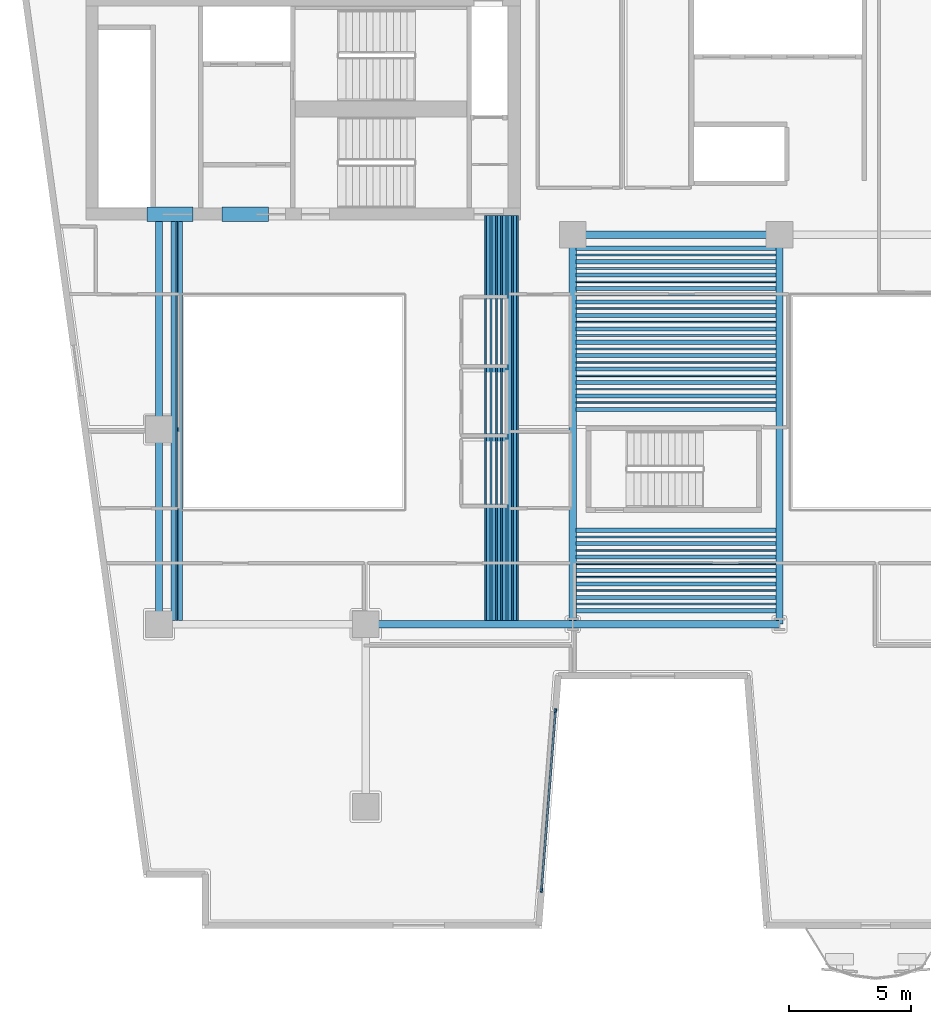
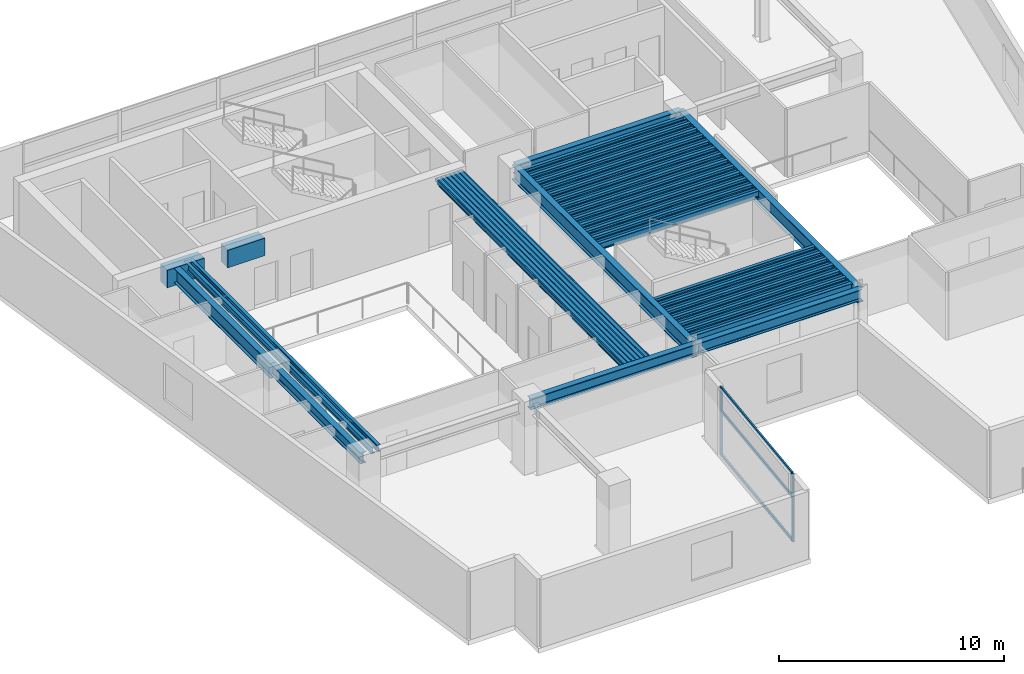
# One storey, part 2 of 12: 63 beams, 5 members, 1 element without a shape of its own.
"""IFC4 building model written with IfcOpenShell, lengths in metres."""

from ifc_helpers import new_model, si_unit, direction, frame, origin, origin_2d, place, context, subcontext, project, spatial, rectangle, hollow_rectangle, i_section, extrude, material, layer, layer_set, material_profile, profile_set, type_object, element, aggregate, save


model = new_model("IFC4")

# Units and contexts
model_context = context("Model", 3, precision=1e-05, world=origin(), true_north=direction((0.0, 1.0)))
body_context = subcontext(model_context, "Body", "Model", "MODEL_VIEW")
ifc_project = project(units=[si_unit("LENGTHUNIT", "METRE"), si_unit("AREAUNIT", "SQUARE_METRE"), si_unit("VOLUMEUNIT", "CUBIC_METRE"), si_unit("PLANEANGLEUNIT", "RADIAN"), si_unit("MASSUNIT", "GRAM", prefix="KILO")], contexts=[model_context])

# Site, building, storey
site_placement = place(None, origin())
site = spatial("IfcSite", under=ifc_project, at=site_placement, CompositionType="ELEMENT")
building_placement = place(site_placement, origin())
building = spatial("IfcBuilding", under=site, at=building_placement, Name="Caeloran Harvest Quay", CompositionType="ELEMENT")
storey_placement = place(building_placement, frame((0.0, 0.0, 115.35009765625)))
storey = spatial("IfcBuildingStorey", under=building, at=storey_placement, Name="L26", CompositionType="ELEMENT", Elevation=115.35009765625)

# Beams
ifc_material_1 = material(Name="Concrete C60/75", Category="concrete")
ifc_material_profile_1 = material_profile(ifc_material_1, rectangle(XDim=0.60009765625, YDim=0.949951171875, at=origin_2d()), Name="RC 600x950")
ifc_profile_set_1 = profile_set([ifc_material_profile_1], Name="Concrete C60/75")
beam_type_1 = type_object("IfcBeamType", Name="BM-CB-2-RC_600x950", PredefinedType="LINTEL", material=ifc_profile_set_1)
for number, where, z_axis, x_axis, name in (
    (1, (8.0, 31.85009765625, 3.21484375), (1.0, 0.0, 0.0), (0.0, 1.0, 0.0), "L26 Core Coupling Beam 1"),
    (2, (11.10009765625, 31.85009765625, 3.21484375), (1.0, 0.0, 0.0), (0.0, 1.0, 0.0), "L26 Core Coupling Beam 2"),
):
    element("IfcBeam", number, at=place(storey_placement, frame(where, z_axis=z_axis, x_axis=x_axis)), inside=storey, type_object=beam_type_1, Name=name, PredefinedType="LINTEL", context=body_context, shape_type="SweptSolid", body=[
        extrude(rectangle(XDim=0.60009765625, YDim=0.949951171875, at=origin_2d()), origin(), (0.0, 0.0, 1.0), 1.89990234375),
    ])
ifc_material_2 = material(Name="Steel S355J2", Category="steel")
ifc_material_profile_2 = material_profile(ifc_material_2, i_section(OverallWidth=0.300048828125, OverallDepth=0.800048828125, WebThickness=0.017578125, FlangeThickness=0.032958984375, FilletRadius=0.030029296875, at=origin_2d()), Name="HE 800 B")
ifc_profile_set_2 = profile_set([ifc_material_profile_2], Name="Steel S355J2")
beam_type_2 = type_object("IfcBeamType", Name="BM-PG-1-HE_800_B", PredefinedType="BEAM", material=ifc_profile_set_2)
beam_1_placement = place(storey_placement, frame((8.5, 23.0, 3.289794921875), z_axis=(0.0, 1.0, 0.0), x_axis=(-1.0, 0.0, 0.0)))
element("IfcBeam", 3, at=beam_1_placement, inside=storey, type_object=beam_type_2, Name="L26 Core South Tie Girder X=8.5", PredefinedType="BEAM", context=body_context, shape_type="SweptSolid", body=[
    extrude(i_section(OverallWidth=0.300048828125, OverallDepth=0.800048828125, WebThickness=0.017578125, FlangeThickness=0.032958984375, FilletRadius=0.030029296875, at=origin_2d()), origin(), (0.0, 0.0, 1.0), 8.800048828125),
])
for number, where, z_axis, x_axis, name in (
    (4, (25.5, 15.0, 3.289794921875), (0.0, 1.0, 0.0), (-1.0, 0.0, 0.0), "L26 Primary North-South Girder X=25.5"),
    (5, (34.0, 15.0, 3.289794921875), (0.0, 1.0, 0.0), (-1.0, 0.0, 0.0), "L26 Primary North-South Girder X=34.0"),
):
    element("IfcBeam", number, at=place(storey_placement, frame(where, z_axis=z_axis, x_axis=x_axis)), inside=storey, type_object=beam_type_2, Name=name, PredefinedType="BEAM", context=body_context, shape_type="SweptSolid", body=[
        extrude(i_section(OverallWidth=0.300048828125, OverallDepth=0.800048828125, WebThickness=0.017578125, FlangeThickness=0.032958984375, FilletRadius=0.030029296875, at=origin_2d()), origin(), (0.0, 0.0, 1.0), 16.0),
    ])
ifc_material_profile_3 = material_profile(ifc_material_2, i_section(OverallWidth=0.300048828125, OverallDepth=0.60009765625, WebThickness=0.015380859375, FlangeThickness=0.030029296875, FilletRadius=0.027099609375, at=origin_2d()), Name="HE 600 B")
ifc_profile_set_3 = profile_set([ifc_material_profile_3], Name="Steel S355J2")
beam_type_3 = type_object("IfcBeamType", Name="BM-PG-3-HE_600_B", PredefinedType="BEAM", material=ifc_profile_set_3)
for number, where, z_axis, x_axis, name in (
    (6, (17.0, 15.0, 3.389892578125), (1.0, 0.0, 0.0), (0.0, 1.0, 0.0), "L26 Primary East-West Girder Y=15.0"),
    (7, (25.5, 15.0, 3.389892578125), (1.0, 0.0, 0.0), (0.0, 1.0, 0.0), "L26 Primary East-West Girder Y=15.0"),
    (8, (25.5, 31.0, 3.389892578125), (1.0, 0.0, 0.0), (0.0, 1.0, 0.0), "L26 Primary East-West Girder Y=31.0"),
):
    element("IfcBeam", number, at=place(storey_placement, frame(where, z_axis=z_axis, x_axis=x_axis)), inside=storey, type_object=beam_type_3, Name=name, PredefinedType="BEAM", context=body_context, shape_type="SweptSolid", body=[
        extrude(i_section(OverallWidth=0.300048828125, OverallDepth=0.60009765625, WebThickness=0.015380859375, FlangeThickness=0.030029296875, FilletRadius=0.027099609375, at=origin_2d()), origin(), (0.0, 0.0, 1.0), 8.5),
    ])
beam_2_placement = place(storey_placement, frame((8.5, 15.0, 3.389892578125), z_axis=(0.0, 1.0, 0.0), x_axis=(-1.0, 0.0, 0.0)))
element("IfcBeam", 9, at=beam_2_placement, inside=storey, type_object=beam_type_3, Name="L26 Primary North-South Girder X=8.5", PredefinedType="BEAM", context=body_context, shape_type="SweptSolid", body=[
    extrude(i_section(OverallWidth=0.300048828125, OverallDepth=0.60009765625, WebThickness=0.015380859375, FlangeThickness=0.030029296875, FilletRadius=0.027099609375, at=origin_2d()), origin(), (0.0, 0.0, 1.0), 8.0),
])
ifc_material_profile_4 = material_profile(ifc_material_2, i_section(OverallWidth=0.169921875, OverallDepth=0.360107421875, WebThickness=0.008056640625, FlangeThickness=0.0126953125, FilletRadius=0.01806640625, at=origin_2d()), Name="IPE 360")
ifc_profile_set_4 = profile_set([ifc_material_profile_4], Name="Steel S355J2")
beam_type_4 = type_object("IfcBeamType", Name="BM-SB-5-IPE_360", PredefinedType="JOIST", material=ifc_profile_set_4)
for number, where, z_axis, x_axis, name in (
    (10, (9.086181640625, 15.14501953125, 3.510009765625), (0.0, 1.0, 0.0), (-1.0, 0.0, 0.0), "L26 Secondary Composite Joist"),
    (11, (9.37939453125, 15.14501953125, 3.510009765625), (0.0, 1.0, 0.0), (-1.0, 0.0, 0.0), "L26 Secondary Composite Joist"),
    (12, (22.0361328125, 15.14501953125, 3.510009765625), (0.0, 1.0, 0.0), (-1.0, 0.0, 0.0), "L26 Secondary Composite Joist"),
    (13, (22.255126953125, 15.14501953125, 3.510009765625), (0.0, 1.0, 0.0), (-1.0, 0.0, 0.0), "L26 Secondary Composite Joist"),
    (14, (22.47412109375, 15.14501953125, 3.510009765625), (0.0, 1.0, 0.0), (-1.0, 0.0, 0.0), "L26 Secondary Composite Joist"),
    (15, (22.693115234375, 15.14501953125, 3.510009765625), (0.0, 1.0, 0.0), (-1.0, 0.0, 0.0), "L26 Secondary Composite Joist"),
    (16, (22.912109375, 15.14501953125, 3.510009765625), (0.0, 1.0, 0.0), (-1.0, 0.0, 0.0), "L26 Secondary Composite Joist"),
    (17, (23.131103515625, 15.14501953125, 3.510009765625), (0.0, 1.0, 0.0), (-1.0, 0.0, 0.0), "L26 Secondary Composite Joist"),
):
    element("IfcBeam", number, at=place(storey_placement, frame(where, z_axis=z_axis, x_axis=x_axis)), inside=storey, type_object=beam_type_4, Name=name, PredefinedType="JOIST", context=body_context, shape_type="SweptSolid", body=[
        extrude(i_section(OverallWidth=0.169921875, OverallDepth=0.360107421875, WebThickness=0.008056640625, FlangeThickness=0.0126953125, FilletRadius=0.01806640625, at=origin_2d()), origin(), (0.0, 0.0, 1.0), 16.655029296875),
    ])
for number, where, z_axis, x_axis, name in (
    (18, (25.64501953125, 15.5517578125, 3.510009765625), (1.0, 0.0, 0.0), (0.0, 1.0, 0.0), "L26 Secondary East-West Composite Joist"),
    (19, (25.64501953125, 16.103515625, 3.510009765625), (1.0, 0.0, 0.0), (0.0, 1.0, 0.0), "L26 Secondary East-West Composite Joist"),
    (20, (25.64501953125, 16.6552734375, 3.510009765625), (1.0, 0.0, 0.0), (0.0, 1.0, 0.0), "L26 Secondary East-West Composite Joist"),
    (21, (25.64501953125, 17.206787109375, 3.510009765625), (1.0, 0.0, 0.0), (0.0, 1.0, 0.0), "L26 Secondary East-West Composite Joist"),
    (22, (25.64501953125, 17.758544921875, 3.510009765625), (1.0, 0.0, 0.0), (0.0, 1.0, 0.0), "L26 Secondary East-West Composite Joist"),
    (23, (25.64501953125, 18.310302734375, 3.510009765625), (1.0, 0.0, 0.0), (0.0, 1.0, 0.0), "L26 Secondary East-West Composite Joist"),
    (24, (25.64501953125, 18.862060546875, 3.510009765625), (1.0, 0.0, 0.0), (0.0, 1.0, 0.0), "L26 Secondary East-West Composite Joist"),
    (25, (25.64501953125, 23.82763671875, 3.510009765625), (1.0, 0.0, 0.0), (0.0, 1.0, 0.0), "L26 Secondary East-West Composite Joist"),
    (26, (25.64501953125, 24.37939453125, 3.510009765625), (1.0, 0.0, 0.0), (0.0, 1.0, 0.0), "L26 Secondary East-West Composite Joist"),
    (27, (25.64501953125, 24.930908203125, 3.510009765625), (1.0, 0.0, 0.0), (0.0, 1.0, 0.0), "L26 Secondary East-West Composite Joist"),
    (28, (25.64501953125, 25.48291015625, 3.510009765625), (1.0, 0.0, 0.0), (0.0, 1.0, 0.0), "L26 Secondary East-West Composite Joist"),
    (29, (25.64501953125, 26.034423828125, 3.510009765625), (1.0, 0.0, 0.0), (0.0, 1.0, 0.0), "L26 Secondary East-West Composite Joist"),
    (30, (25.64501953125, 26.586181640625, 3.510009765625), (1.0, 0.0, 0.0), (0.0, 1.0, 0.0), "L26 Secondary East-West Composite Joist"),
    (31, (25.64501953125, 27.137939453125, 3.510009765625), (1.0, 0.0, 0.0), (0.0, 1.0, 0.0), "L26 Secondary East-West Composite Joist"),
    (32, (25.64501953125, 27.689697265625, 3.510009765625), (1.0, 0.0, 0.0), (0.0, 1.0, 0.0), "L26 Secondary East-West Composite Joist"),
    (33, (25.64501953125, 28.241455078125, 3.510009765625), (1.0, 0.0, 0.0), (0.0, 1.0, 0.0), "L26 Secondary East-West Composite Joist"),
    (34, (25.64501953125, 28.793212890625, 3.510009765625), (1.0, 0.0, 0.0), (0.0, 1.0, 0.0), "L26 Secondary East-West Composite Joist"),
    (35, (25.64501953125, 29.3447265625, 3.510009765625), (1.0, 0.0, 0.0), (0.0, 1.0, 0.0), "L26 Secondary East-West Composite Joist"),
    (36, (25.64501953125, 29.896484375, 3.510009765625), (1.0, 0.0, 0.0), (0.0, 1.0, 0.0), "L26 Secondary East-West Composite Joist"),
    (37, (25.64501953125, 30.4482421875, 3.510009765625), (1.0, 0.0, 0.0), (0.0, 1.0, 0.0), "L26 Secondary East-West Composite Joist"),
):
    element("IfcBeam", number, at=place(storey_placement, frame(where, z_axis=z_axis, x_axis=x_axis)), inside=storey, type_object=beam_type_4, Name=name, PredefinedType="JOIST", context=body_context, shape_type="SweptSolid", body=[
        extrude(i_section(OverallWidth=0.169921875, OverallDepth=0.360107421875, WebThickness=0.008056640625, FlangeThickness=0.0126953125, FilletRadius=0.01806640625, at=origin_2d()), origin(), (0.0, 0.0, 1.0), 8.2099609375),
    ])
ifc_material_profile_5 = material_profile(ifc_material_2, hollow_rectangle(XDim=0.080078125, YDim=0.199951171875, WallThickness=0.006103515625, InnerFilletRadius=0.006103515625, OuterFilletRadius=0.009033203125, at=origin_2d()), Name="RHS 200x80x6")
ifc_profile_set_5 = profile_set([ifc_material_profile_5], Name="Steel S355J2")
beam_type_5 = type_object("IfcBeamType", Name="BM-SB-7-RHS_200x80x6", PredefinedType="JOIST", material=ifc_profile_set_5)
for number, where, z_axis, x_axis, name in (
    (38, (9.23291015625, 15.14501953125, 3.58984375), (0.0, 1.0, 0.0), (-1.0, 0.0, 0.0), "L26 Secondary Composite Joist"),
    (39, (21.9267578125, 15.14501953125, 3.58984375), (0.0, 1.0, 0.0), (-1.0, 0.0, 0.0), "L26 Secondary Composite Joist"),
    (40, (22.145751953125, 15.14501953125, 3.58984375), (0.0, 1.0, 0.0), (-1.0, 0.0, 0.0), "L26 Secondary Composite Joist"),
    (41, (22.36474609375, 15.14501953125, 3.58984375), (0.0, 1.0, 0.0), (-1.0, 0.0, 0.0), "L26 Secondary Composite Joist"),
    (42, (22.58349609375, 15.14501953125, 3.58984375), (0.0, 1.0, 0.0), (-1.0, 0.0, 0.0), "L26 Secondary Composite Joist"),
    (43, (22.802490234375, 15.14501953125, 3.58984375), (0.0, 1.0, 0.0), (-1.0, 0.0, 0.0), "L26 Secondary Composite Joist"),
    (44, (23.021484375, 15.14501953125, 3.58984375), (0.0, 1.0, 0.0), (-1.0, 0.0, 0.0), "L26 Secondary Composite Joist"),
    (45, (23.240478515625, 15.14501953125, 3.58984375), (0.0, 1.0, 0.0), (-1.0, 0.0, 0.0), "L26 Secondary Composite Joist"),
):
    element("IfcBeam", number, at=place(storey_placement, frame(where, z_axis=z_axis, x_axis=x_axis)), inside=storey, type_object=beam_type_5, Name=name, PredefinedType="JOIST", context=body_context, shape_type="SweptSolid", body=[
        extrude(hollow_rectangle(XDim=0.080078125, YDim=0.199951171875, WallThickness=0.006103515625, InnerFilletRadius=0.006103515625, OuterFilletRadius=0.009033203125, at=origin_2d()), origin(), (0.0, 0.0, 1.0), 16.655029296875),
    ])
for number, where, z_axis, x_axis, name in (
    (46, (25.64501953125, 15.82763671875, 3.58984375), (1.0, 0.0, 0.0), (0.0, 1.0, 0.0), "L26 Secondary East-West Composite Joist"),
    (47, (25.64501953125, 16.37939453125, 3.58984375), (1.0, 0.0, 0.0), (0.0, 1.0, 0.0), "L26 Secondary East-West Composite Joist"),
    (48, (25.64501953125, 16.930908203125, 3.58984375), (1.0, 0.0, 0.0), (0.0, 1.0, 0.0), "L26 Secondary East-West Composite Joist"),
    (49, (25.64501953125, 17.48291015625, 3.58984375), (1.0, 0.0, 0.0), (0.0, 1.0, 0.0), "L26 Secondary East-West Composite Joist"),
    (50, (25.64501953125, 18.034423828125, 3.58984375), (1.0, 0.0, 0.0), (0.0, 1.0, 0.0), "L26 Secondary East-West Composite Joist"),
    (51, (25.64501953125, 18.586181640625, 3.58984375), (1.0, 0.0, 0.0), (0.0, 1.0, 0.0), "L26 Secondary East-West Composite Joist"),
    (52, (25.64501953125, 24.103515625, 3.58984375), (1.0, 0.0, 0.0), (0.0, 1.0, 0.0), "L26 Secondary East-West Composite Joist"),
    (53, (25.64501953125, 24.6552734375, 3.58984375), (1.0, 0.0, 0.0), (0.0, 1.0, 0.0), "L26 Secondary East-West Composite Joist"),
    (54, (25.64501953125, 25.206787109375, 3.58984375), (1.0, 0.0, 0.0), (0.0, 1.0, 0.0), "L26 Secondary East-West Composite Joist"),
    (55, (25.64501953125, 25.758544921875, 3.58984375), (1.0, 0.0, 0.0), (0.0, 1.0, 0.0), "L26 Secondary East-West Composite Joist"),
    (56, (25.64501953125, 26.310302734375, 3.58984375), (1.0, 0.0, 0.0), (0.0, 1.0, 0.0), "L26 Secondary East-West Composite Joist"),
    (57, (25.64501953125, 26.862060546875, 3.58984375), (1.0, 0.0, 0.0), (0.0, 1.0, 0.0), "L26 Secondary East-West Composite Joist"),
    (58, (25.64501953125, 27.413818359375, 3.58984375), (1.0, 0.0, 0.0), (0.0, 1.0, 0.0), "L26 Secondary East-West Composite Joist"),
    (59, (25.64501953125, 27.965576171875, 3.58984375), (1.0, 0.0, 0.0), (0.0, 1.0, 0.0), "L26 Secondary East-West Composite Joist"),
    (60, (25.64501953125, 28.51708984375, 3.58984375), (1.0, 0.0, 0.0), (0.0, 1.0, 0.0), "L26 Secondary East-West Composite Joist"),
    (61, (25.64501953125, 29.069091796875, 3.58984375), (1.0, 0.0, 0.0), (0.0, 1.0, 0.0), "L26 Secondary East-West Composite Joist"),
    (62, (25.64501953125, 29.62060546875, 3.58984375), (1.0, 0.0, 0.0), (0.0, 1.0, 0.0), "L26 Secondary East-West Composite Joist"),
    (63, (25.64501953125, 30.17236328125, 3.58984375), (1.0, 0.0, 0.0), (0.0, 1.0, 0.0), "L26 Secondary East-West Composite Joist"),
):
    element("IfcBeam", number, at=place(storey_placement, frame(where, z_axis=z_axis, x_axis=x_axis)), inside=storey, type_object=beam_type_5, Name=name, PredefinedType="JOIST", context=body_context, shape_type="SweptSolid", body=[
        extrude(hollow_rectangle(XDim=0.080078125, YDim=0.199951171875, WallThickness=0.006103515625, InnerFilletRadius=0.006103515625, OuterFilletRadius=0.009033203125, at=origin_2d()), origin(), (0.0, 0.0, 1.0), 8.2099609375),
    ])

# Curtain wall, members
ifc_material_3 = material(Name="Aluminium 6063-T6 and Low-E Glazing", Category="aluminium")
ifc_layer = layer(ifc_material_3, 0.18994140625, Name="Aluminium 6063-T6 and Low-E Glazing")
ifc_layer_set = layer_set([ifc_layer], Name="Aluminium 6063-T6 and Low-E Glazing")
curtain_wall_type = type_object("IfcCurtainWallType", Name="CW-SYS-CW-3", PredefinedType="USERDEFINED", material=ifc_layer_set)
curtain_wall_placement = place(storey_placement, origin())
curtain_wall = element("IfcCurtainWall", 64, at=curtain_wall_placement, inside=storey, type_object=curtain_wall_type, Name="L26 Unitised Curtain Wall CW-3 Run 15", ObjectType="CURTAIN_WALL", PredefinedType="USERDEFINED")
ifc_material_4 = material(Name="Aluminium 6063-T6", Category="aluminium")
ifc_material_profile_6 = material_profile(ifc_material_4, rectangle(XDim=0.080078125, YDim=0.179931640625, at=origin_2d()), Name="CW-MULLION-180")
ifc_profile_set_6 = profile_set([ifc_material_profile_6], Name="Aluminium 6063-T6")
member_type_1 = type_object("IfcMemberType", Name="CW-MULLION-180", PredefinedType="MULLION", material=ifc_profile_set_6)
member_1_placement = place(storey_placement, frame((24.7978515625, 11.4443359375, 0.0), z_axis=(0.0, 0.0, 1.0), x_axis=(0.996967280277, -0.077821861046, 0.0)))
member_1 = element("IfcMember", 65, at=member_1_placement, type_object=member_type_1, Name="CW-3 mullion 1", PredefinedType="MULLION", context=body_context, shape_type="SweptSolid", body=[
    extrude(rectangle(XDim=0.080078125, YDim=0.179931640625, at=origin_2d()), origin(), (0.0, 0.0, 1.0), 3.68994140625),
])
member_2_placement = place(storey_placement, frame((24.221923828125, 4.065673828125, 0.0), z_axis=(0.0, 0.0, 1.0), x_axis=(0.996967280277, -0.077821861046, 0.0)))
member_2 = element("IfcMember", 66, at=member_2_placement, type_object=member_type_1, Name="CW-3 mullion 2", PredefinedType="MULLION", context=body_context, shape_type="SweptSolid", body=[
    extrude(rectangle(XDim=0.080078125, YDim=0.179931640625, at=origin_2d()), origin(), (0.0, 0.0, 1.0), 3.68994140625),
])
ifc_material_profile_7 = material_profile(ifc_material_4, rectangle(XDim=0.080078125, YDim=0.14990234375, at=origin_2d()), Name="CW-TRANSOM-150")
ifc_profile_set_7 = profile_set([ifc_material_profile_7], Name="Aluminium 6063-T6")
member_type_2 = type_object("IfcMemberType", Name="CW-TRANSOM-150", PredefinedType="USERDEFINED", material=ifc_profile_set_7)
member_3_placement = place(storey_placement, frame((24.794677734375, 11.404541015625, 0.039794921875), z_axis=(-0.077831218093, -0.996966549835, 0.0), x_axis=(0.996966549835, -0.077831218093, 0.0)))
member_3 = element("IfcMember", 67, at=member_3_placement, type_object=member_type_2, Name="CW-3 transom 1.1", ObjectType="TRANSOM", PredefinedType="USERDEFINED", context=body_context, shape_type="SweptSolid", body=[
    extrude(rectangle(XDim=0.080078125, YDim=0.14990234375, at=origin_2d()), origin(), (0.0, 0.0, 1.0), 7.3212890625),
])
member_4_placement = place(storey_placement, frame((24.794677734375, 11.404541015625, 2.39990234375), z_axis=(-0.077831218093, -0.996966549835, 0.0), x_axis=(0.996966549835, -0.077831218093, 0.0)))
member_4 = element("IfcMember", 68, at=member_4_placement, type_object=member_type_2, Name="CW-3 transom 1.2", ObjectType="TRANSOM", PredefinedType="USERDEFINED", context=body_context, shape_type="SweptSolid", body=[
    extrude(rectangle(XDim=0.080078125, YDim=0.14990234375, at=origin_2d()), origin(), (0.0, 0.0, 1.0), 7.3212890625),
])
member_5_placement = place(storey_placement, frame((24.794677734375, 11.404541015625, 3.64990234375), z_axis=(-0.077831218093, -0.996966549835, 0.0), x_axis=(0.996966549835, -0.077831218093, 0.0)))
member_5 = element("IfcMember", 69, at=member_5_placement, type_object=member_type_2, Name="CW-3 transom 1.3", ObjectType="TRANSOM", PredefinedType="USERDEFINED", context=body_context, shape_type="SweptSolid", body=[
    extrude(rectangle(XDim=0.080078125, YDim=0.14990234375, at=origin_2d()), origin(), (0.0, 0.0, 1.0), 7.3212890625),
])
aggregate(curtain_wall, [member_1, member_2, member_3, member_4, member_5])

save(model, "model.ifc")
